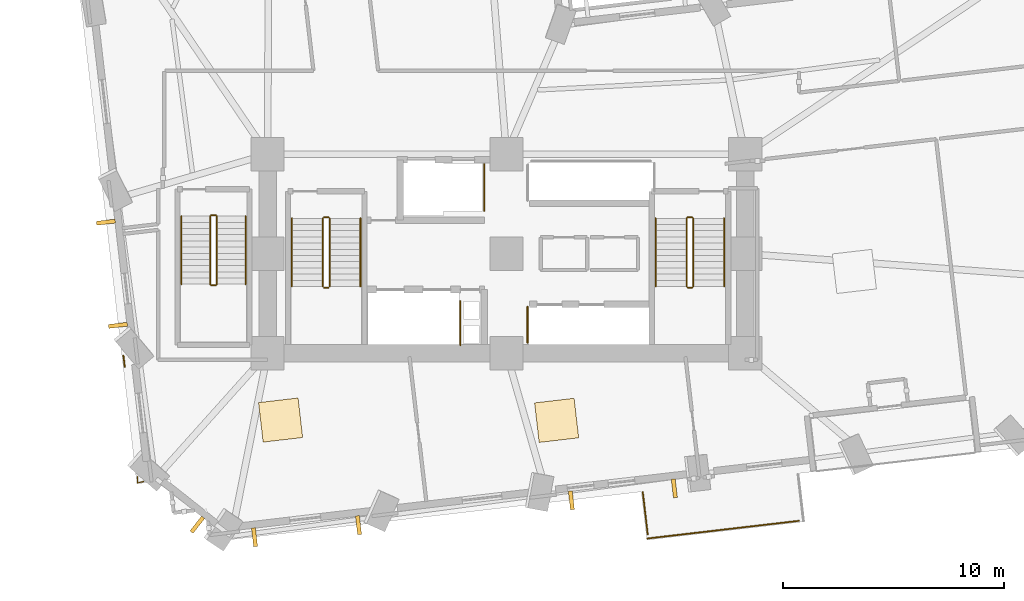
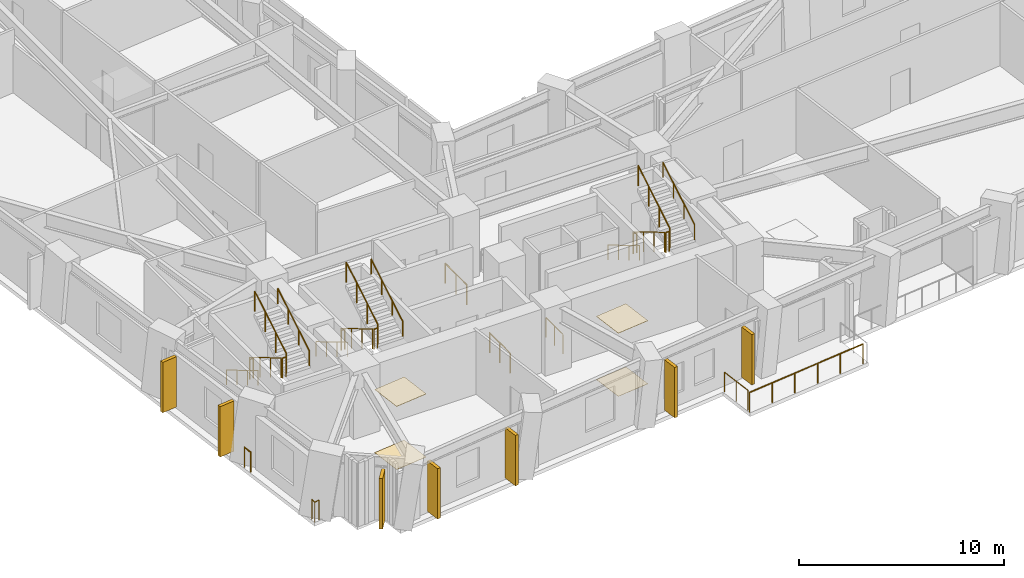
# One storey, part 11 of 14: 25 railings, 7 shading devices, 4 coverings.
"""IFC4 building model written with IfcOpenShell, lengths in metres."""

from ifc_helpers import new_model, si_unit, direction, frame, origin, origin_2d, place, context, subcontext, project, spatial, rectangle, circle, extrude, material, layer, layer_set, type_object, element, save


model = new_model("IFC4")

# Units and contexts
model_context = context("Model", 3, precision=1e-05, world=origin(), true_north=direction((0.0, 1.0)))
body_context = subcontext(model_context, "Body", "Model", "MODEL_VIEW")
ifc_project = project(units=[si_unit("LENGTHUNIT", "METRE"), si_unit("AREAUNIT", "SQUARE_METRE"), si_unit("VOLUMEUNIT", "CUBIC_METRE"), si_unit("PLANEANGLEUNIT", "RADIAN"), si_unit("MASSUNIT", "GRAM", prefix="KILO")], contexts=[model_context])

# Site, building, storey
site_placement = place(None, origin())
site = spatial("IfcSite", under=ifc_project, at=site_placement, CompositionType="ELEMENT")
building_placement = place(site_placement, origin())
building = spatial("IfcBuilding", under=site, at=building_placement, Name="Gaonmaruhae Medical Tower", CompositionType="ELEMENT")
storey_placement = place(building_placement, frame((0.0, 0.0, 51.0)))
storey = spatial("IfcBuildingStorey", under=building, at=storey_placement, Name="L11", CompositionType="ELEMENT", Elevation=51.0)

# Coverings
ifc_material_1 = material(Name="Acoustic mineral ceiling tile", Category="finish")
ifc_layer_1 = layer(ifc_material_1, 0.02490234375)
ifc_layer_set_1 = layer_set([ifc_layer_1], Name="Acoustic mineral ceiling tile")
covering_type_1 = type_object("IfcCoveringType", Name="CLG-01 Antimicrobial Acoustic Mineral Ceiling", PredefinedType="CEILING", material=ifc_layer_set_1)
for number, where, z_axis, x_axis, name in (
    (1, (14.5859375, 4.7763671875, 3.755126953125), (0.0, 0.0, 1.0), (0.993272085779, 0.115803987891, 0.0), "L11 Clinical Room Acoustic Ceiling 2"),
    (2, (27.071533203125, 4.7626953125, 3.755126953125), (0.0, 0.0, 1.0), (0.993272085779, 0.115803987891, 0.0), "L11 Clinical Room Acoustic Ceiling 3"),
):
    element("IfcCovering", number, at=place(storey_placement, frame(where, z_axis=z_axis, x_axis=x_axis)), inside=storey, type_object=covering_type_1, Name=name, PredefinedType="CEILING", context=body_context, shape_type="SweptSolid", body=[
        extrude(rectangle(XDim=1.800048828125, YDim=1.800048828125, at=origin_2d()), origin(), (0.0, 0.0, 1.0), 0.02490234375),
    ])
ifc_material_2 = material(Name="Seamless clinical vinyl flooring", Category="finish")
ifc_layer_2 = layer(ifc_material_2, 0.014892578125)
ifc_layer_set_2 = layer_set([ifc_layer_2], Name="Seamless clinical vinyl flooring")
covering_type_2 = type_object("IfcCoveringType", Name="FLR-01 Seamless Clinical Antistatic Vinyl Flooring", PredefinedType="FLOORING", material=ifc_layer_set_2)
for number, where, z_axis, x_axis, name in (
    (3, (14.5859375, 4.7763671875, 0.0), (0.0, 0.0, 1.0), (0.993272085779, 0.115803987891, 0.0), "L11 Clinical Room Vinyl Flooring 2"),
    (4, (27.071533203125, 4.7626953125, 0.0), (0.0, 0.0, 1.0), (0.993272085779, 0.115803987891, 0.0), "L11 Clinical Room Vinyl Flooring 3"),
):
    element("IfcCovering", number, at=place(storey_placement, frame(where, z_axis=z_axis, x_axis=x_axis)), inside=storey, type_object=covering_type_2, Name=name, PredefinedType="FLOORING", context=body_context, shape_type="SweptSolid", body=[
        extrude(rectangle(XDim=1.800048828125, YDim=1.800048828125, at=origin_2d()), origin(), (0.0, 0.0, 1.0), 0.014892578125),
    ])

# Railings
ifc_material_3 = material(Name="Stainless steel 316L and laminated safety glass", Category="steel")
ifc_layer_3 = layer(ifc_material_3, 0.080078125)
ifc_layer_set_3 = layer_set([ifc_layer_3], Name="Stainless steel 316L and laminated safety glass")
railing_type_1 = type_object("IfcRailingType", Name="GD-120 Outdoor Terrace Safety Glass & Steel Balustrade", PredefinedType="BALUSTRADE", material=ifc_layer_set_3)
railing_1_placement = place(storey_placement, frame((7.535400390625, 7.177978515625, 0.0)))
element("IfcRailing", 5, at=railing_1_placement, inside=storey, type_object=railing_type_1, Name="L11 Perimeter Slab Edge Safety Balustrade 01", PredefinedType="BALUSTRADE", context=body_context, shape_type="SweptSolid", body=[
    extrude(circle(Radius=0.02392578125, at=origin_2d()), frame((0.0, 0.0, 1.17578125), z_axis=(-0.116050659431, 0.993243295696, 0.0), x_axis=(-0.993243295696, -0.116050659431, 0.0)), (0.0, 0.0, 1.0), 0.51953125),
    extrude(circle(Radius=0.02099609375, at=origin_2d()), origin(), (0.0, 0.0, 1.0), 1.15185546875),
    extrude(circle(Radius=0.02099609375, at=origin_2d()), frame((-0.060302734375, 0.51611328125, 0.0)), (0.0, 0.0, 1.0), 1.15185546875),
])
railing_2_placement = place(storey_placement, frame((38.0244140625, 0.216796875, 0.0)))
element("IfcRailing", 6, at=railing_2_placement, inside=storey, type_object=railing_type_1, Name="L11 Perimeter Slab Edge Safety Balustrade 08", PredefinedType="BALUSTRADE", context=body_context, shape_type="SweptSolid", body=[
    extrude(circle(Radius=0.02392578125, at=origin_2d()), frame((0.0, 0.0, 1.17578125), z_axis=(-0.993276419359, -0.115766811933, 0.0), x_axis=(0.115766811933, -0.993276419359, 0.0)), (0.0, 0.0, 1.0), 6.90869140625),
    extrude(circle(Radius=0.02099609375, at=origin_2d()), origin(), (0.0, 0.0, 1.0), 1.15185546875),
    extrude(circle(Radius=0.02099609375, at=origin_2d()), frame((-1.37255859375, -0.159912109375, 0.0)), (0.0, 0.0, 1.0), 1.15185546875),
    extrude(circle(Radius=0.02099609375, at=origin_2d()), frame((-2.744873046875, -0.31982421875, 0.0)), (0.0, 0.0, 1.0), 1.15185546875),
    extrude(circle(Radius=0.02099609375, at=origin_2d()), frame((-4.117431640625, -0.47998046875, 0.0)), (0.0, 0.0, 1.0), 1.15185546875),
    extrude(circle(Radius=0.02099609375, at=origin_2d()), frame((-5.48974609375, -0.639892578125, 0.0)), (0.0, 0.0, 1.0), 1.15185546875),
    extrude(circle(Radius=0.02099609375, at=origin_2d()), frame((-6.8623046875, -0.7998046875, 0.0)), (0.0, 0.0, 1.0), 1.15185546875),
])
railing_3_placement = place(storey_placement, frame((31.18994140625, -0.39013671875, 0.0)))
element("IfcRailing", 7, at=railing_3_placement, inside=storey, type_object=railing_type_1, Name="L11 Perimeter Slab Edge Safety Balustrade 09", PredefinedType="BALUSTRADE", context=body_context, shape_type="SweptSolid", body=[
    extrude(circle(Radius=0.02392578125, at=origin_2d()), frame((0.0, 0.0, 1.17578125), z_axis=(-0.115868165313, 0.993264601336, 0.0), x_axis=(-0.993264601336, -0.115868165313, 0.0)), (0.0, 0.0, 1.0), 1.921630859375),
    extrude(circle(Radius=0.02099609375, at=origin_2d()), origin(), (0.0, 0.0, 1.0), 1.15185546875),
    extrude(circle(Radius=0.02099609375, at=origin_2d()), frame((-0.111328125, 0.954345703125, 0.0)), (0.0, 0.0, 1.0), 1.15185546875),
    extrude(circle(Radius=0.02099609375, at=origin_2d()), frame((-0.22265625, 1.90869140625, 0.0)), (0.0, 0.0, 1.0), 1.15185546875),
])
railing_4_placement = place(storey_placement, frame((8.39111328125, 1.997314453125, 0.0)))
element("IfcRailing", 8, at=railing_4_placement, inside=storey, type_object=railing_type_1, Name="L11 Perimeter Corner Safety Balustrade 10", PredefinedType="BALUSTRADE", context=body_context, shape_type="SweptSolid", body=[
    extrude(circle(Radius=0.02392578125, at=origin_2d()), frame((0.0, 0.0, 1.17578125), z_axis=(-0.971672879449, -0.23632988669, 0.0), x_axis=(0.23632988669, -0.971672879449, 0.0)), (0.0, 0.0, 1.0), 0.287109375),
    extrude(circle(Radius=0.02392578125, at=origin_2d()), frame((-0.279052734375, -0.06787109375, 1.17578125), z_axis=(0.005947218527, 0.99998231514, 0.0), x_axis=(-0.99998231514, 0.005947218527, 0.0)), (0.0, 0.0, 1.0), 0.287353515625),
    extrude(circle(Radius=0.02099609375, at=origin_2d()), origin(), (0.0, 0.0, 1.0), 1.15185546875),
    extrude(circle(Radius=0.02099609375, at=origin_2d()), frame((-0.279052734375, -0.06787109375, 0.0)), (0.0, 0.0, 1.0), 1.15185546875),
    extrude(circle(Radius=0.02099609375, at=origin_2d()), frame((-0.27734375, 0.219482421875, 0.0)), (0.0, 0.0, 1.0), 1.15185546875),
])
ifc_material_4 = material(Name="Stainless steel 304 handrail", Category="steel")
railing_type_2 = type_object("IfcRailingType", Name="HR-092 Continuous Stainless Steel Stair Handrail", PredefinedType="HANDRAIL", material=ifc_material_4)
railing_5_placement = place(storey_placement, frame((15.10009765625, 13.89990234375, 0.166748046875)))
element("IfcRailing", 9, at=railing_5_placement, inside=storey, type_object=railing_type_2, Name="L11 ST-01 stair handrail 1", PredefinedType="HANDRAIL", context=body_context, shape_type="SweptSolid", body=[
    extrude(circle(Radius=0.02392578125, at=origin_2d()), frame((0.0, 0.0, 0.8759765625), z_axis=(0.0, -0.859290745958, 0.51148745235), x_axis=(1.0, 0.0, 0.0)), (0.0, 0.0, 1.0), 3.584228515625),
    extrude(circle(Radius=0.02099609375, at=origin_2d()), origin(), (0.0, 0.0, 1.0), 0.851806640625),
    extrude(circle(Radius=0.02099609375, at=origin_2d()), frame((0.0, -1.026611328125, 0.611083984375)), (0.0, 0.0, 1.0), 0.851806640625),
    extrude(circle(Radius=0.02099609375, at=origin_2d()), frame((0.0, -2.05322265625, 1.22216796875)), (0.0, 0.0, 1.0), 0.851806640625),
    extrude(circle(Radius=0.02099609375, at=origin_2d()), frame((0.0, -3.079833984375, 1.833251953125)), (0.0, 0.0, 1.0), 0.851806640625),
])
railing_6_placement = place(storey_placement, frame((18.199951171875, 10.820068359375, 2.166748046875)))
element("IfcRailing", 10, at=railing_6_placement, inside=storey, type_object=railing_type_2, Name="L11 ST-01 stair handrail 2", PredefinedType="HANDRAIL", context=body_context, shape_type="SweptSolid", body=[
    extrude(circle(Radius=0.02392578125, at=origin_2d()), frame((0.0, 0.0, 0.8759765625), z_axis=(0.0, 0.859290745958, 0.51148745235), x_axis=(-1.0, 0.0, 0.0)), (0.0, 0.0, 1.0), 3.584228515625),
    extrude(circle(Radius=0.02099609375, at=origin_2d()), origin(), (0.0, 0.0, 1.0), 0.851806640625),
    extrude(circle(Radius=0.02099609375, at=origin_2d()), frame((0.0, 1.026611328125, 0.611083984375)), (0.0, 0.0, 1.0), 0.851806640625),
    extrude(circle(Radius=0.02099609375, at=origin_2d()), frame((0.0, 2.05322265625, 1.22216796875)), (0.0, 0.0, 1.0), 0.851806640625),
    extrude(circle(Radius=0.02099609375, at=origin_2d()), frame((0.0, 3.079833984375, 1.833251953125)), (0.0, 0.0, 1.0), 0.851806640625),
])
railing_7_placement = place(storey_placement, frame((31.550048828125, 13.89990234375, 0.166748046875)))
element("IfcRailing", 11, at=railing_7_placement, inside=storey, type_object=railing_type_2, Name="L11 ST-02 stair handrail 1", PredefinedType="HANDRAIL", context=body_context, shape_type="SweptSolid", body=[
    extrude(circle(Radius=0.02392578125, at=origin_2d()), frame((0.0, 0.0, 0.8759765625), z_axis=(0.0, -0.859290745958, 0.51148745235), x_axis=(1.0, 0.0, 0.0)), (0.0, 0.0, 1.0), 3.584228515625),
    extrude(circle(Radius=0.02099609375, at=origin_2d()), origin(), (0.0, 0.0, 1.0), 0.851806640625),
    extrude(circle(Radius=0.02099609375, at=origin_2d()), frame((0.0, -1.026611328125, 0.611083984375)), (0.0, 0.0, 1.0), 0.851806640625),
    extrude(circle(Radius=0.02099609375, at=origin_2d()), frame((0.0, -2.05322265625, 1.22216796875)), (0.0, 0.0, 1.0), 0.851806640625),
    extrude(circle(Radius=0.02099609375, at=origin_2d()), frame((0.0, -3.079833984375, 1.833251953125)), (0.0, 0.0, 1.0), 0.851806640625),
])
railing_8_placement = place(storey_placement, frame((34.64990234375, 10.820068359375, 2.166748046875)))
element("IfcRailing", 12, at=railing_8_placement, inside=storey, type_object=railing_type_2, Name="L11 ST-02 stair handrail 2", PredefinedType="HANDRAIL", context=body_context, shape_type="SweptSolid", body=[
    extrude(circle(Radius=0.02392578125, at=origin_2d()), frame((0.0, 0.0, 0.8759765625), z_axis=(0.0, 0.859290745958, 0.51148745235), x_axis=(-1.0, 0.0, 0.0)), (0.0, 0.0, 1.0), 3.584228515625),
    extrude(circle(Radius=0.02099609375, at=origin_2d()), origin(), (0.0, 0.0, 1.0), 0.851806640625),
    extrude(circle(Radius=0.02099609375, at=origin_2d()), frame((0.0, 1.026611328125, 0.611083984375)), (0.0, 0.0, 1.0), 0.851806640625),
    extrude(circle(Radius=0.02099609375, at=origin_2d()), frame((0.0, 2.05322265625, 1.22216796875)), (0.0, 0.0, 1.0), 0.851806640625),
    extrude(circle(Radius=0.02099609375, at=origin_2d()), frame((0.0, 3.079833984375, 1.833251953125)), (0.0, 0.0, 1.0), 0.851806640625),
])
railing_9_placement = place(storey_placement, frame((10.10009765625, 14.0, 0.166748046875)))
element("IfcRailing", 13, at=railing_9_placement, inside=storey, type_object=railing_type_2, Name="L11 ST-03 stair handrail 1", PredefinedType="HANDRAIL", context=body_context, shape_type="SweptSolid", body=[
    extrude(circle(Radius=0.02392578125, at=origin_2d()), frame((0.0, 0.0, 0.8759765625), z_axis=(0.0, -0.859308565015, 0.511457515432), x_axis=(1.0, 0.0, 0.0)), (0.0, 0.0, 1.0), 3.58447265625),
    extrude(circle(Radius=0.02099609375, at=origin_2d()), origin(), (0.0, 0.0, 1.0), 0.851806640625),
    extrude(circle(Radius=0.02099609375, at=origin_2d()), frame((0.0, -1.026611328125, 0.611083984375)), (0.0, 0.0, 1.0), 0.851806640625),
    extrude(circle(Radius=0.02099609375, at=origin_2d()), frame((0.0, -2.053466796875, 1.22216796875)), (0.0, 0.0, 1.0), 0.851806640625),
    extrude(circle(Radius=0.02099609375, at=origin_2d()), frame((0.0, -3.080078125, 1.833251953125)), (0.0, 0.0, 1.0), 0.851806640625),
])
railing_10_placement = place(storey_placement, frame((13.0, 10.919921875, 2.166748046875)))
element("IfcRailing", 14, at=railing_10_placement, inside=storey, type_object=railing_type_2, Name="L11 ST-03 stair handrail 2", PredefinedType="HANDRAIL", context=body_context, shape_type="SweptSolid", body=[
    extrude(circle(Radius=0.02392578125, at=origin_2d()), frame((0.0, 0.0, 0.8759765625), z_axis=(0.0, 0.859308565015, 0.511457515432), x_axis=(-1.0, 0.0, 0.0)), (0.0, 0.0, 1.0), 3.58447265625),
    extrude(circle(Radius=0.02099609375, at=origin_2d()), origin(), (0.0, 0.0, 1.0), 0.851806640625),
    extrude(circle(Radius=0.02099609375, at=origin_2d()), frame((0.0, 1.026611328125, 0.611083984375)), (0.0, 0.0, 1.0), 0.851806640625),
    extrude(circle(Radius=0.02099609375, at=origin_2d()), frame((0.0, 2.053466796875, 1.22216796875)), (0.0, 0.0, 1.0), 0.851806640625),
    extrude(circle(Radius=0.02099609375, at=origin_2d()), frame((0.0, 3.080078125, 1.833251953125)), (0.0, 0.0, 1.0), 0.851806640625),
])

# Shading devices
ifc_material_5 = material(Name="Pigmented coral precast concrete C45/55", Category="concrete")
shading_device_type = type_object("IfcShadingDeviceType", Name="SD-FIN1 Tower Vertical Coral Precast Shading Fin", PredefinedType="USERDEFINED", material=ifc_material_5)
for number, where, z_axis, x_axis, name in (
    (15, (18.109130859375, 0.0244140625, 0.08251953125), (0.0, 0.0, 1.0), (-0.993272085779, -0.115803987891, 0.0), "L11 Vertical Coral Precast Shading Fin S01"),
    (16, (13.40673828125, -0.523681640625, 0.08251953125), (0.0, 0.0, 1.0), (-0.993272085779, -0.115803987891, 0.0), "L11 Vertical Coral Precast Shading Fin S01B"),
    (17, (32.395263671875, 1.68994140625, 0.08251953125), (0.0, 0.0, 1.0), (-0.993272085779, -0.115803987891, 0.0), "L11 Vertical Coral Precast Shading Fin S03"),
    (18, (27.7373046875, 1.14697265625, 0.08251953125), (0.0, 0.0, 1.0), (-0.993272085779, -0.115803987891, 0.0), "L11 Vertical Coral Precast Shading Fin S03B"),
    (19, (7.230224609375, 9.060791015625, 0.08251953125), (0.0, 0.0, 1.0), (-0.115803987891, 0.993272085779, 0.0), "L11 Vertical Coral Precast Shading Fin W05"),
    (20, (6.686279296875, 13.726318359375, 0.08251953125), (0.0, 0.0, 1.0), (-0.115803987891, 0.993272085779, 0.0), "L11 Vertical Coral Precast Shading Fin W05B"),
    (21, (10.818359375, 0.041748046875, 0.08251953125), (0.0, 0.0, 1.0), (-0.784246041558, 0.620449954711, 0.0), "L11 Vertical Coral Precast Shading Fin W07"),
):
    element("IfcShadingDevice", number, at=place(storey_placement, frame(where, z_axis=z_axis, x_axis=x_axis)), inside=storey, type_object=shading_device_type, Name=name, ObjectType="FIN", PredefinedType="USERDEFINED", context=body_context, shape_type="SweptSolid", body=[
        extrude(rectangle(XDim=0.179931640625, YDim=0.85009765625, at=origin_2d()), origin(), (0.0, 0.0, 1.0), 3.0),
    ])

# Railings
ifc_material_6 = material(Name="Stainless steel 304 balustrade", Category="steel")
railing_type_3 = type_object("IfcRailingType", Name="SG-112 Stair Well & Ramp Void Safety Balustrade", PredefinedType="BALUSTRADE", material=ifc_material_6)
railing_11_placement = place(storey_placement, frame((16.5, 13.89990234375, 0.166748046875)))
element("IfcRailing", 22, at=railing_11_placement, inside=storey, type_object=railing_type_3, Name="L11 ST-01 stair guard 1", PredefinedType="BALUSTRADE", context=body_context, shape_type="SweptSolid", body=[
    extrude(circle(Radius=0.02392578125, at=origin_2d()), frame((0.0, 0.0, 1.17578125), z_axis=(0.0, -0.859290745958, 0.51148745235), x_axis=(1.0, 0.0, 0.0)), (0.0, 0.0, 1.0), 3.584228515625),
    extrude(circle(Radius=0.02099609375, at=origin_2d()), origin(), (0.0, 0.0, 1.0), 1.15185546875),
    extrude(circle(Radius=0.02099609375, at=origin_2d()), frame((0.0, -1.026611328125, 0.611083984375)), (0.0, 0.0, 1.0), 1.15185546875),
    extrude(circle(Radius=0.02099609375, at=origin_2d()), frame((0.0, -2.05322265625, 1.22216796875)), (0.0, 0.0, 1.0), 1.15185546875),
    extrude(circle(Radius=0.02099609375, at=origin_2d()), frame((0.0, -3.079833984375, 1.833251953125)), (0.0, 0.0, 1.0), 1.15185546875),
])
railing_12_placement = place(storey_placement, frame((16.550048828125, 10.77001953125, 2.0)))
element("IfcRailing", 23, at=railing_12_placement, inside=storey, type_object=railing_type_3, Name="L11 ST-01 stair guard 2", PredefinedType="BALUSTRADE", context=body_context, shape_type="SweptSolid", body=[
    extrude(circle(Radius=0.02392578125, at=origin_2d()), frame((0.0, 0.0, 1.17578125), z_axis=(1.0, 0.0, 0.0), x_axis=(0.0, 1.0, 0.0)), (0.0, 0.0, 1.0), 0.199951171875),
    extrude(circle(Radius=0.02099609375, at=origin_2d()), origin(), (0.0, 0.0, 1.0), 1.15185546875),
    extrude(circle(Radius=0.02099609375, at=origin_2d()), frame((0.199951171875, 0.0, 0.0)), (0.0, 0.0, 1.0), 1.15185546875),
])
railing_13_placement = place(storey_placement, frame((16.800048828125, 10.820068359375, 2.166748046875)))
element("IfcRailing", 24, at=railing_13_placement, inside=storey, type_object=railing_type_3, Name="L11 ST-01 stair guard 3", PredefinedType="BALUSTRADE", context=body_context, shape_type="SweptSolid", body=[
    extrude(circle(Radius=0.02392578125, at=origin_2d()), frame((0.0, 0.0, 1.17578125), z_axis=(0.0, 0.859290745958, 0.51148745235), x_axis=(-1.0, 0.0, 0.0)), (0.0, 0.0, 1.0), 3.584228515625),
    extrude(circle(Radius=0.02099609375, at=origin_2d()), origin(), (0.0, 0.0, 1.0), 1.15185546875),
    extrude(circle(Radius=0.02099609375, at=origin_2d()), frame((0.0, 1.026611328125, 0.611083984375)), (0.0, 0.0, 1.0), 1.15185546875),
    extrude(circle(Radius=0.02099609375, at=origin_2d()), frame((0.0, 2.05322265625, 1.22216796875)), (0.0, 0.0, 1.0), 1.15185546875),
    extrude(circle(Radius=0.02099609375, at=origin_2d()), frame((0.0, 3.079833984375, 1.833251953125)), (0.0, 0.0, 1.0), 1.15185546875),
])
railing_14_placement = place(storey_placement, frame((16.550048828125, 13.949951171875, 0.0)))
element("IfcRailing", 25, at=railing_14_placement, inside=storey, type_object=railing_type_3, Name="L11 ST-01 stair guard 4", PredefinedType="BALUSTRADE", context=body_context, shape_type="SweptSolid", body=[
    extrude(circle(Radius=0.02392578125, at=origin_2d()), frame((0.0, 0.0, 1.17578125), z_axis=(1.0, 0.0, 0.0), x_axis=(0.0, 1.0, 0.0)), (0.0, 0.0, 1.0), 0.199951171875),
    extrude(circle(Radius=0.02099609375, at=origin_2d()), origin(), (0.0, 0.0, 1.0), 1.15185546875),
    extrude(circle(Radius=0.02099609375, at=origin_2d()), frame((0.199951171875, 0.0, 0.0)), (0.0, 0.0, 1.0), 1.15185546875),
])
railing_15_placement = place(storey_placement, frame((32.949951171875, 13.89990234375, 0.166748046875)))
element("IfcRailing", 26, at=railing_15_placement, inside=storey, type_object=railing_type_3, Name="L11 ST-02 stair guard 1", PredefinedType="BALUSTRADE", context=body_context, shape_type="SweptSolid", body=[
    extrude(circle(Radius=0.02392578125, at=origin_2d()), frame((0.0, 0.0, 1.17578125), z_axis=(0.0, -0.859290745958, 0.51148745235), x_axis=(1.0, 0.0, 0.0)), (0.0, 0.0, 1.0), 3.584228515625),
    extrude(circle(Radius=0.02099609375, at=origin_2d()), origin(), (0.0, 0.0, 1.0), 1.15185546875),
    extrude(circle(Radius=0.02099609375, at=origin_2d()), frame((0.0, -1.026611328125, 0.611083984375)), (0.0, 0.0, 1.0), 1.15185546875),
    extrude(circle(Radius=0.02099609375, at=origin_2d()), frame((0.0, -2.05322265625, 1.22216796875)), (0.0, 0.0, 1.0), 1.15185546875),
    extrude(circle(Radius=0.02099609375, at=origin_2d()), frame((0.0, -3.079833984375, 1.833251953125)), (0.0, 0.0, 1.0), 1.15185546875),
])
railing_16_placement = place(storey_placement, frame((33.0, 10.77001953125, 2.0)))
element("IfcRailing", 27, at=railing_16_placement, inside=storey, type_object=railing_type_3, Name="L11 ST-02 stair guard 2", PredefinedType="BALUSTRADE", context=body_context, shape_type="SweptSolid", body=[
    extrude(circle(Radius=0.02392578125, at=origin_2d()), frame((0.0, 0.0, 1.17578125), z_axis=(1.0, 0.0, 0.0), x_axis=(0.0, 1.0, 0.0)), (0.0, 0.0, 1.0), 0.199951171875),
    extrude(circle(Radius=0.02099609375, at=origin_2d()), origin(), (0.0, 0.0, 1.0), 1.15185546875),
    extrude(circle(Radius=0.02099609375, at=origin_2d()), frame((0.199951171875, 0.0, 0.0)), (0.0, 0.0, 1.0), 1.15185546875),
])
railing_17_placement = place(storey_placement, frame((33.25, 10.820068359375, 2.166748046875)))
element("IfcRailing", 28, at=railing_17_placement, inside=storey, type_object=railing_type_3, Name="L11 ST-02 stair guard 3", PredefinedType="BALUSTRADE", context=body_context, shape_type="SweptSolid", body=[
    extrude(circle(Radius=0.02392578125, at=origin_2d()), frame((0.0, 0.0, 1.17578125), z_axis=(0.0, 0.859290745958, 0.51148745235), x_axis=(-1.0, 0.0, 0.0)), (0.0, 0.0, 1.0), 3.584228515625),
    extrude(circle(Radius=0.02099609375, at=origin_2d()), origin(), (0.0, 0.0, 1.0), 1.15185546875),
    extrude(circle(Radius=0.02099609375, at=origin_2d()), frame((0.0, 1.026611328125, 0.611083984375)), (0.0, 0.0, 1.0), 1.15185546875),
    extrude(circle(Radius=0.02099609375, at=origin_2d()), frame((0.0, 2.05322265625, 1.22216796875)), (0.0, 0.0, 1.0), 1.15185546875),
    extrude(circle(Radius=0.02099609375, at=origin_2d()), frame((0.0, 3.079833984375, 1.833251953125)), (0.0, 0.0, 1.0), 1.15185546875),
])
railing_18_placement = place(storey_placement, frame((33.0, 13.949951171875, 0.0)))
element("IfcRailing", 29, at=railing_18_placement, inside=storey, type_object=railing_type_3, Name="L11 ST-02 stair guard 4", PredefinedType="BALUSTRADE", context=body_context, shape_type="SweptSolid", body=[
    extrude(circle(Radius=0.02392578125, at=origin_2d()), frame((0.0, 0.0, 1.17578125), z_axis=(1.0, 0.0, 0.0), x_axis=(0.0, 1.0, 0.0)), (0.0, 0.0, 1.0), 0.199951171875),
    extrude(circle(Radius=0.02099609375, at=origin_2d()), origin(), (0.0, 0.0, 1.0), 1.15185546875),
    extrude(circle(Radius=0.02099609375, at=origin_2d()), frame((0.199951171875, 0.0, 0.0)), (0.0, 0.0, 1.0), 1.15185546875),
])
railing_19_placement = place(storey_placement, frame((11.39990234375, 14.0, 0.166748046875)))
element("IfcRailing", 30, at=railing_19_placement, inside=storey, type_object=railing_type_3, Name="L11 ST-03 stair guard 1", PredefinedType="BALUSTRADE", context=body_context, shape_type="SweptSolid", body=[
    extrude(circle(Radius=0.02392578125, at=origin_2d()), frame((0.0, 0.0, 1.17578125), z_axis=(0.0, -0.859308565015, 0.511457515432), x_axis=(1.0, 0.0, 0.0)), (0.0, 0.0, 1.0), 3.58447265625),
    extrude(circle(Radius=0.02099609375, at=origin_2d()), origin(), (0.0, 0.0, 1.0), 1.15185546875),
    extrude(circle(Radius=0.02099609375, at=origin_2d()), frame((0.0, -1.026611328125, 0.611083984375)), (0.0, 0.0, 1.0), 1.15185546875),
    extrude(circle(Radius=0.02099609375, at=origin_2d()), frame((0.0, -2.053466796875, 1.22216796875)), (0.0, 0.0, 1.0), 1.15185546875),
    extrude(circle(Radius=0.02099609375, at=origin_2d()), frame((0.0, -3.080078125, 1.833251953125)), (0.0, 0.0, 1.0), 1.15185546875),
])
railing_20_placement = place(storey_placement, frame((11.449951171875, 10.8701171875, 2.0)))
element("IfcRailing", 31, at=railing_20_placement, inside=storey, type_object=railing_type_3, Name="L11 ST-03 stair guard 2", PredefinedType="BALUSTRADE", context=body_context, shape_type="SweptSolid", body=[
    extrude(circle(Radius=0.02392578125, at=origin_2d()), frame((0.0, 0.0, 1.17578125), z_axis=(1.0, 0.0, 0.0), x_axis=(0.0, 1.0, 0.0)), (0.0, 0.0, 1.0), 0.199951171875),
    extrude(circle(Radius=0.02099609375, at=origin_2d()), origin(), (0.0, 0.0, 1.0), 1.15185546875),
    extrude(circle(Radius=0.02099609375, at=origin_2d()), frame((0.199951171875, 0.0, 0.0)), (0.0, 0.0, 1.0), 1.15185546875),
])
railing_21_placement = place(storey_placement, frame((11.699951171875, 10.919921875, 2.166748046875)))
element("IfcRailing", 32, at=railing_21_placement, inside=storey, type_object=railing_type_3, Name="L11 ST-03 stair guard 3", PredefinedType="BALUSTRADE", context=body_context, shape_type="SweptSolid", body=[
    extrude(circle(Radius=0.02392578125, at=origin_2d()), frame((0.0, 0.0, 1.17578125), z_axis=(0.0, 0.859308565015, 0.511457515432), x_axis=(-1.0, 0.0, 0.0)), (0.0, 0.0, 1.0), 3.58447265625),
    extrude(circle(Radius=0.02099609375, at=origin_2d()), origin(), (0.0, 0.0, 1.0), 1.15185546875),
    extrude(circle(Radius=0.02099609375, at=origin_2d()), frame((0.0, 1.026611328125, 0.611083984375)), (0.0, 0.0, 1.0), 1.15185546875),
    extrude(circle(Radius=0.02099609375, at=origin_2d()), frame((0.0, 2.053466796875, 1.22216796875)), (0.0, 0.0, 1.0), 1.15185546875),
    extrude(circle(Radius=0.02099609375, at=origin_2d()), frame((0.0, 3.080078125, 1.833251953125)), (0.0, 0.0, 1.0), 1.15185546875),
])
railing_22_placement = place(storey_placement, frame((11.449951171875, 14.050048828125, 0.0)))
element("IfcRailing", 33, at=railing_22_placement, inside=storey, type_object=railing_type_3, Name="L11 ST-03 stair guard 4", PredefinedType="BALUSTRADE", context=body_context, shape_type="SweptSolid", body=[
    extrude(circle(Radius=0.02392578125, at=origin_2d()), frame((0.0, 0.0, 1.17578125), z_axis=(1.0, 0.0, 0.0), x_axis=(0.0, 1.0, 0.0)), (0.0, 0.0, 1.0), 0.199951171875),
    extrude(circle(Radius=0.02099609375, at=origin_2d()), origin(), (0.0, 0.0, 1.0), 1.15185546875),
    extrude(circle(Radius=0.02099609375, at=origin_2d()), frame((0.199951171875, 0.0, 0.0)), (0.0, 0.0, 1.0), 1.15185546875),
])
railing_23_placement = place(storey_placement, frame((25.7548828125, 8.27001953125, 0.0)))
element("IfcRailing", 34, at=railing_23_placement, inside=storey, type_object=railing_type_3, Name="L11 Shaft Edge Safety Guard 11", PredefinedType="BALUSTRADE", context=body_context, shape_type="SweptSolid", body=[
    extrude(circle(Radius=0.02392578125, at=origin_2d()), frame((0.0, 0.0, 1.17578125), z_axis=(0.0, 1.0, 0.0), x_axis=(-1.0, 0.0, 0.0)), (0.0, 0.0, 1.0), 1.635009765625),
    extrude(circle(Radius=0.02099609375, at=origin_2d()), origin(), (0.0, 0.0, 1.0), 1.15185546875),
    extrude(circle(Radius=0.02099609375, at=origin_2d()), frame((0.0, 0.8173828125, 0.0)), (0.0, 0.0, 1.0), 1.15185546875),
    extrude(circle(Radius=0.02099609375, at=origin_2d()), frame((0.0, 1.635009765625, 0.0)), (0.0, 0.0, 1.0), 1.15185546875),
])
railing_24_placement = place(storey_placement, frame((22.719970703125, 10.159912109375, 0.0)))
element("IfcRailing", 35, at=railing_24_placement, inside=storey, type_object=railing_type_3, Name="L11 Shaft Edge Safety Guard 12", PredefinedType="BALUSTRADE", context=body_context, shape_type="SweptSolid", body=[
    extrude(circle(Radius=0.02392578125, at=origin_2d()), frame((0.0, 0.0, 1.17578125), z_axis=(0.0, -1.0, 0.0), x_axis=(1.0, 0.0, 0.0)), (0.0, 0.0, 1.0), 1.994873046875),
    extrude(circle(Radius=0.02099609375, at=origin_2d()), origin(), (0.0, 0.0, 1.0), 1.15185546875),
    extrude(circle(Radius=0.02099609375, at=origin_2d()), frame((0.0, -0.99755859375, 0.0)), (0.0, 0.0, 1.0), 1.15185546875),
    extrude(circle(Radius=0.02099609375, at=origin_2d()), frame((0.0, -1.994873046875, 0.0)), (0.0, 0.0, 1.0), 1.15185546875),
])
railing_25_placement = place(storey_placement, frame((23.794921875, 16.35498046875, 0.0)))
element("IfcRailing", 36, at=railing_25_placement, inside=storey, type_object=railing_type_3, Name="L11 Shaft Edge Safety Guard 13", PredefinedType="BALUSTRADE", context=body_context, shape_type="SweptSolid", body=[
    extrude(circle(Radius=0.02392578125, at=origin_2d()), frame((0.0, 0.0, 1.17578125), z_axis=(0.0, -1.0, 0.0), x_axis=(1.0, 0.0, 0.0)), (0.0, 0.0, 1.0), 2.10986328125),
    extrude(circle(Radius=0.02099609375, at=origin_2d()), origin(), (0.0, 0.0, 1.0), 1.15185546875),
    extrude(circle(Radius=0.02099609375, at=origin_2d()), frame((0.0, -1.054931640625, 0.0)), (0.0, 0.0, 1.0), 1.15185546875),
    extrude(circle(Radius=0.02099609375, at=origin_2d()), frame((0.0, -2.10986328125, 0.0)), (0.0, 0.0, 1.0), 1.15185546875),
])

save(model, "model.ifc")
